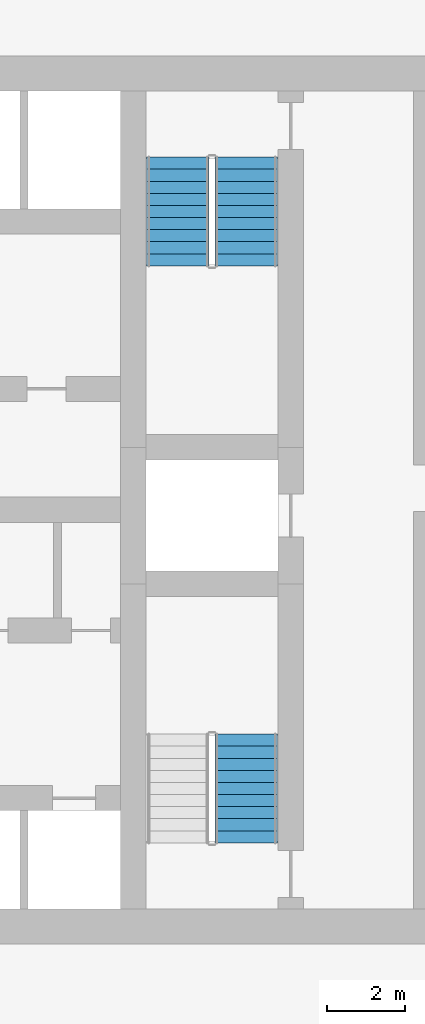
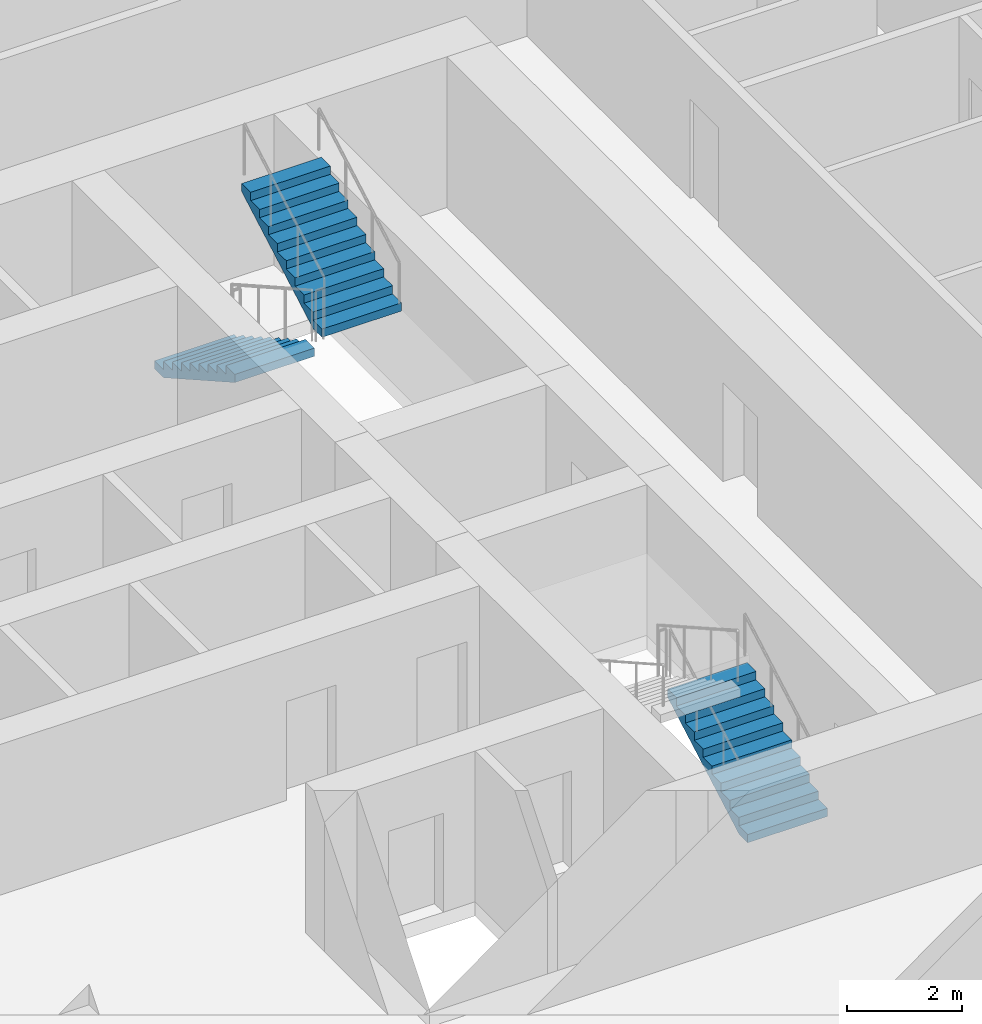
# One storey, part 16 of 22: 3 stair flights, 2 elements without a shape of their own.
"""IFC4 building model written with IfcOpenShell, lengths in metres."""

from ifc_helpers import new_model, si_unit, direction, frame, origin, place, context, subcontext, project, spatial, polyline, outline, extrude, material, type_object, element, aggregate, save


model = new_model("IFC4")

# Units and contexts
model_context = context("Model", 3, precision=1e-05, world=origin(), true_north=direction((0.0, 1.0)))
body_context = subcontext(model_context, "Body", "Model", "MODEL_VIEW")
ifc_project = project(units=[si_unit("LENGTHUNIT", "METRE"), si_unit("AREAUNIT", "SQUARE_METRE"), si_unit("VOLUMEUNIT", "CUBIC_METRE"), si_unit("PLANEANGLEUNIT", "RADIAN"), si_unit("MASSUNIT", "GRAM", prefix="KILO")], contexts=[model_context])

# Site, building, storey
site_placement = place(None, origin())
site = spatial("IfcSite", under=ifc_project, at=site_placement, CompositionType="ELEMENT")
building_placement = place(site_placement, origin())
building = spatial("IfcBuilding", under=site, at=building_placement, Name="Madar Terraces", CompositionType="ELEMENT")
storey_placement = place(building_placement, frame((0.0, 0.0, 69.800048828125)))
storey = spatial("IfcBuildingStorey", under=building, at=storey_placement, Name="L17", CompositionType="ELEMENT", Elevation=69.800048828125)

# Stair, stair flights
ifc_material_1 = material(Name="Concrete C50/60", Category="concrete")
stair_type_1 = type_object("IfcStairType", Name="Stair ST2 protected exit", PredefinedType="HALF_TURN_STAIR", material=ifc_material_1)
stair_1_placement = place(storey_placement, origin())
stair_1 = element("IfcStair", 1, at=stair_1_placement, inside=storey, type_object=stair_type_1, Name="L17 Protected Exit Stair ST2", PredefinedType="HALF_TURN_STAIR")
ifc_material_2 = material(Name="Concrete C50/60", Category="concrete")
stair_flight_type_1 = type_object("IfcStairFlightType", Name="Stair flight ST2-F4, 1600 wide, 10 risers", PredefinedType="STRAIGHT", material=ifc_material_2)
stair_flight_1_placement = place(storey_placement, frame((40.449951171875, 35.199951171875, 0.0), z_axis=(0.0, 0.0, 1.0), x_axis=(0.0, -1.0, 0.0)))
stair_flight_1 = element("IfcStairFlight", 2, at=stair_flight_1_placement, type_object=stair_flight_type_1, Name="ST2 flight 1", NumberOfRisers=10, NumberOfTreads=9, PredefinedType="STRAIGHT", RiserHeight=0.175, TreadLength=0.31, context=body_context, shape_type="SweptSolid", body=[
    extrude(outline(polyline([(0.0, 0.0), (0.0, 0.175048828125), (0.31005859375, 0.175048828125), (0.31005859375, 0.35009765625), (0.6201171875, 0.35009765625), (0.6201171875, 0.52490234375), (0.929931640625, 0.52490234375), (0.929931640625, 0.699951171875), (1.239990234375, 0.699951171875), (1.239990234375, 0.875), (1.550048828125, 0.875), (1.550048828125, 1.050048828125), (1.860107421875, 1.050048828125), (1.860107421875, 1.22509765625), (2.169921875, 1.22509765625), (2.169921875, 1.39990234375), (2.47998046875, 1.39990234375), (2.47998046875, 1.574951171875), (2.7900390625, 1.574951171875), (2.7900390625, 1.75), (2.7900390625, 1.40283203125), (0.304931640625, 0.0), (0.0, 0.0)])), frame((0.0, 0.800048828125, 0.0), z_axis=(0.0, -1.0, 0.0), x_axis=(1.0, 0.0, 0.0)), (0.0, 0.0, 1.0), 1.60009765625),
])
stair_flight_2_placement = place(storey_placement, frame((42.199951171875, 32.409912109375, 1.75), z_axis=(0.0, 0.0, 1.0), x_axis=(0.0, 1.0, 0.0)))
stair_flight_2 = element("IfcStairFlight", 3, at=stair_flight_2_placement, type_object=stair_flight_type_1, Name="ST2 flight 2", NumberOfRisers=10, NumberOfTreads=9, PredefinedType="STRAIGHT", RiserHeight=0.175, TreadLength=0.31, context=body_context, shape_type="SweptSolid", body=[
    extrude(outline(polyline([(0.0, 0.0), (0.0, 0.175048828125), (0.31005859375, 0.175048828125), (0.31005859375, 0.35009765625), (0.6201171875, 0.35009765625), (0.6201171875, 0.52490234375), (0.929931640625, 0.52490234375), (0.929931640625, 0.699951171875), (1.239990234375, 0.699951171875), (1.239990234375, 0.875), (1.550048828125, 0.875), (1.550048828125, 1.050048828125), (1.860107421875, 1.050048828125), (1.860107421875, 1.22509765625), (2.169921875, 1.22509765625), (2.169921875, 1.39990234375), (2.47998046875, 1.39990234375), (2.47998046875, 1.574951171875), (2.7900390625, 1.574951171875), (2.7900390625, 1.75), (2.7900390625, 1.40283203125), (0.304931640625, 0.0), (0.0, 0.0)])), frame((0.0, 0.800048828125, 0.0), z_axis=(0.0, -1.0, 0.0), x_axis=(1.0, 0.0, 0.0)), (0.0, 0.0, 1.0), 1.60009765625),
])
aggregate(stair_1, [stair_flight_1, stair_flight_2])

# Stair, stair flight
ifc_material_3 = material(Name="Concrete C50/60", Category="concrete")
stair_type_2 = type_object("IfcStairType", Name="Stair ST3 protected exit", PredefinedType="HALF_TURN_STAIR", material=ifc_material_3)
stair_2_placement = place(storey_placement, origin())
stair_2 = element("IfcStair", 4, at=stair_2_placement, inside=storey, type_object=stair_type_2, Name="L17 Protected Exit Stair ST3", PredefinedType="HALF_TURN_STAIR")
ifc_material_4 = material(Name="Concrete C50/60", Category="concrete")
stair_flight_type_2 = type_object("IfcStairFlightType", Name="Stair flight ST3-F4, 1600 wide, 10 risers", PredefinedType="STRAIGHT", material=ifc_material_4)
stair_flight_3_placement = place(storey_placement, frame((42.199951171875, 17.60009765625, 0.0), z_axis=(0.0, 0.0, 1.0), x_axis=(0.0, 1.0, 0.0)))
stair_flight_3 = element("IfcStairFlight", 5, at=stair_flight_3_placement, type_object=stair_flight_type_2, Name="ST3 flight 1", NumberOfRisers=10, NumberOfTreads=9, PredefinedType="STRAIGHT", RiserHeight=0.175, TreadLength=0.31, context=body_context, shape_type="SweptSolid", body=[
    extrude(outline(polyline([(0.0, 0.0), (0.0, 0.175048828125), (0.31005859375, 0.175048828125), (0.31005859375, 0.35009765625), (0.6201171875, 0.35009765625), (0.6201171875, 0.52490234375), (0.929931640625, 0.52490234375), (0.929931640625, 0.699951171875), (1.239990234375, 0.699951171875), (1.239990234375, 0.875), (1.550048828125, 0.875), (1.550048828125, 1.050048828125), (1.860107421875, 1.050048828125), (1.860107421875, 1.22509765625), (2.169921875, 1.22509765625), (2.169921875, 1.39990234375), (2.47998046875, 1.39990234375), (2.47998046875, 1.574951171875), (2.7900390625, 1.574951171875), (2.7900390625, 1.75), (2.7900390625, 1.40283203125), (0.304931640625, 0.0), (0.0, 0.0)])), frame((0.0, 0.800048828125, 0.0), z_axis=(0.0, -1.0, 0.0), x_axis=(1.0, 0.0, 0.0)), (0.0, 0.0, 1.0), 1.60009765625),
])
aggregate(stair_2, [stair_flight_3])

save(model, "model.ifc")
